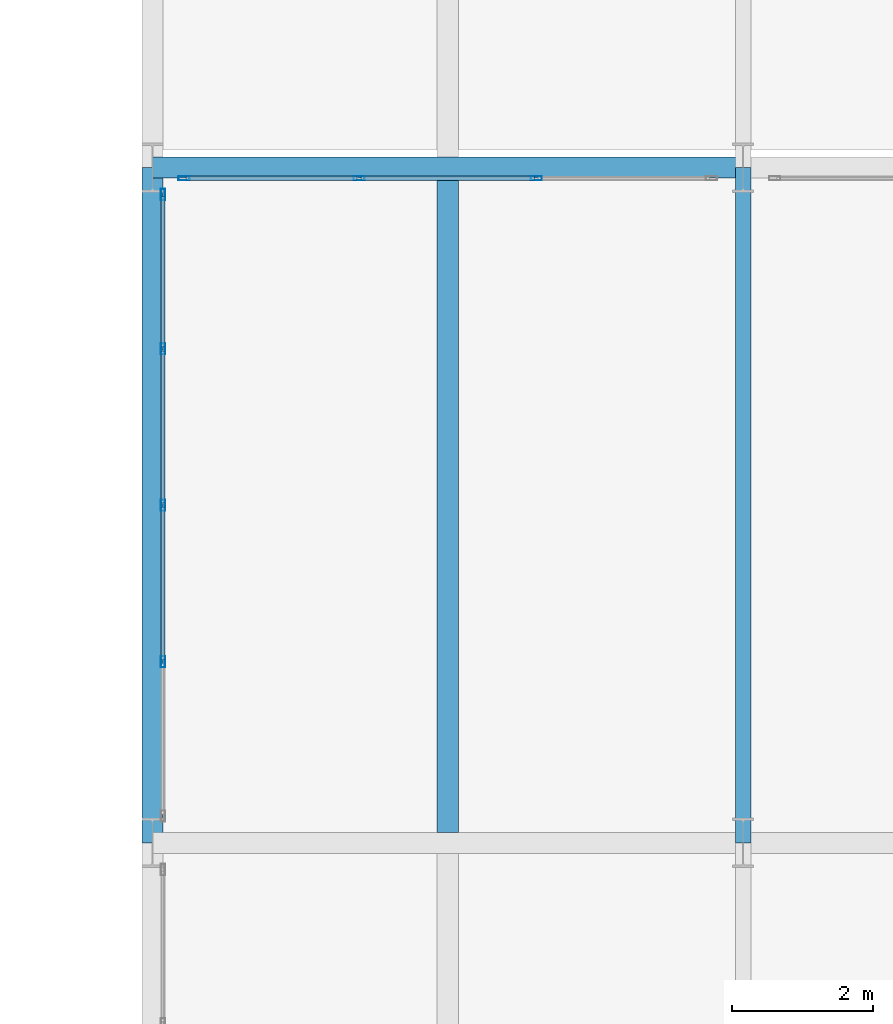
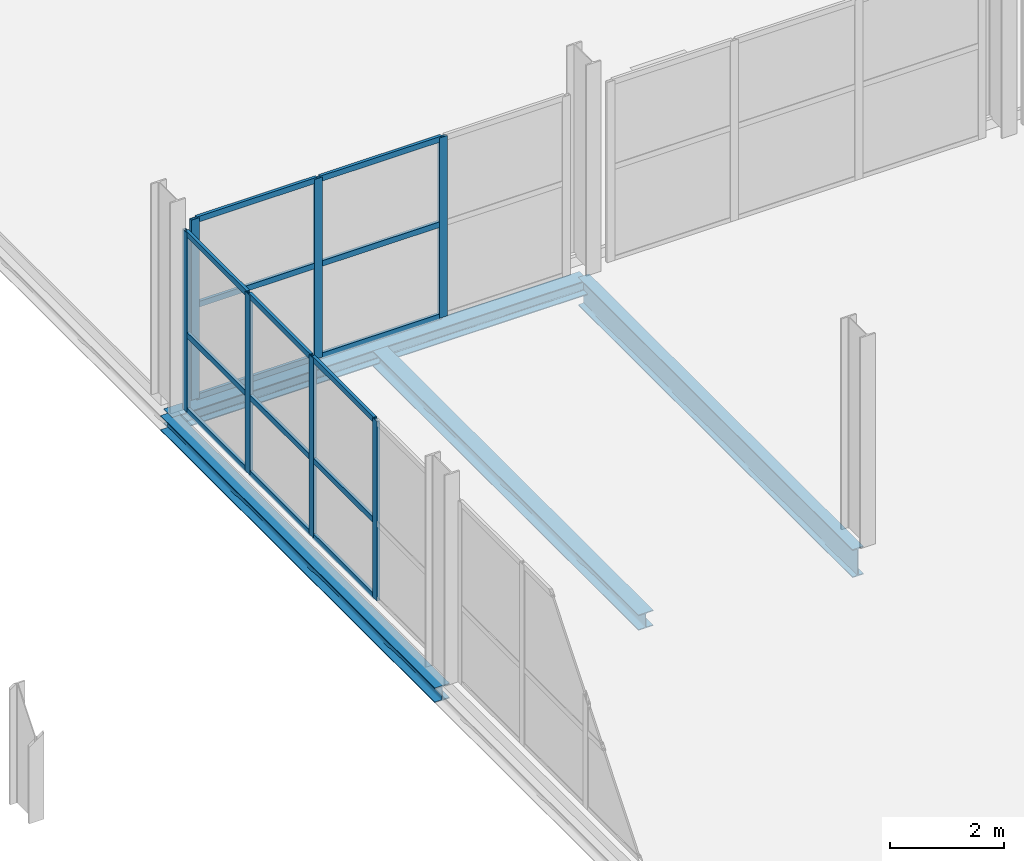
# One storey, part 54 of 113: 22 members, 4 beams, 2 elements without a shape of their own.
"""IFC4 building model written with IfcOpenShell, lengths in metres."""

import ifcopenshell
import ifcopenshell.guid

model = None  # the IFC model being written
_history = None  # IfcOwnerHistory: only IFC2X3 demands one
_inside = {}  # id of a spatial element -> (the spatial element, [elements in it])
_under = {}  # id of a project, library or spatial element -> (it, [spatial elements below it])
_declared = {}  # id of a project -> (the project, [libraries it declares])
_typed = {}  # id of a type object -> (the type object, [elements of that type])
_made_of = {}  # id of a material, layer set ... -> (it, [elements and type objects made of it])


def new_model(schema):
    """Start an empty IFC model of exactly this schema.

    Asked for "IFC4X3", IfcOpenShell would pick the latest addendum, in which some entities
    have other attributes; the version numbers below select the first issue.
    IFC2X3 requires an IfcOwnerHistory on every rooted entity: one is made here for all.
    """
    global model, _history
    if schema == "IFC4X3":
        model = ifcopenshell.file(schema_version=(4, 3, 0, 0))
    else:
        model = ifcopenshell.file(schema=schema)
    _inside.clear()
    _under.clear()
    _declared.clear()
    _typed.clear()
    _made_of.clear()
    _history = None
    if model.schema == "IFC2X3":
        org = make("IfcOrganization", Name="unknown")
        user = make(
            "IfcPersonAndOrganization",
            ThePerson=make("IfcPerson", FamilyName="unknown"),
            TheOrganization=org,
        )
        app = make(
            "IfcApplication",
            ApplicationDeveloper=org,
            Version="unknown",
            ApplicationFullName="unknown",
            ApplicationIdentifier="unknown",
        )
        _history = make(
            "IfcOwnerHistory",
            OwningUser=user,
            OwningApplication=app,
            ChangeAction="ADDED",
            CreationDate=0,
        )
    return model


def make(cls, **values):
    """One entity of the class cls with the attributes given. An attribute that is None is left unset."""
    return model.create_entity(
        cls, **{name: value for name, value in values.items() if value is not None}
    )


def rooted(cls, **values):
    """An entity with a GlobalId (a new one), such as an element, a storey or a relation."""
    return make(cls, GlobalId=ifcopenshell.guid.new(), OwnerHistory=_history, **values)


def si_unit(unit_type, name, prefix=None):
    """IfcSIUnit, for example si_unit("LENGTHUNIT", "METRE", prefix="MILLI")."""
    return make("IfcSIUnit", UnitType=unit_type, Prefix=prefix, Name=name)


def assignment(units):
    """IfcUnitAssignment: the units of a project."""
    return None if units is None else make("IfcUnitAssignment", Units=units)


def point(xyz):
    """IfcCartesianPoint."""
    return None if xyz is None else make("IfcCartesianPoint", Coordinates=xyz)


def direction(xyz):
    """IfcDirection."""
    return None if xyz is None else make("IfcDirection", DirectionRatios=xyz)


def frame(location, z_axis=None, x_axis=None):
    """IfcAxis2Placement3D, a coordinate frame: its origin and axes. An axis left out is left unset."""
    return make(
        "IfcAxis2Placement3D",
        Location=point(location),
        Axis=direction(z_axis),
        RefDirection=direction(x_axis),
    )


def frame_2d(location, x_axis=None):
    """IfcAxis2Placement2D, a coordinate frame in the plane: its origin and x axis."""
    return make(
        "IfcAxis2Placement2D", Location=point(location), RefDirection=direction(x_axis)
    )


def origin():
    """The frame at (0, 0, 0) with its axes left unset."""
    return frame((0.0, 0.0, 0.0))


def origin_2d():
    """The frame at (0, 0) in the plane with its x axis left unset."""
    return frame_2d((0.0, 0.0))


def place(relative_to, where):
    """IfcLocalPlacement: puts the frame where relative to a parent placement (None: the world)."""
    return make(
        "IfcLocalPlacement", PlacementRelTo=relative_to, RelativePlacement=where
    )


def context(
    kind, dimensions, precision=None, world=None, true_north=None, identifier=None
):
    """IfcGeometricRepresentationContext, for example the 3D "Model" context."""
    return make(
        "IfcGeometricRepresentationContext",
        ContextIdentifier=identifier,
        ContextType=kind,
        CoordinateSpaceDimension=dimensions,
        Precision=precision,
        WorldCoordinateSystem=world,
        TrueNorth=true_north,
    )


def subcontext(parent, identifier, kind, view, scale=None):
    """IfcGeometricRepresentationSubContext, for example "Body" below "Model"."""
    return make(
        "IfcGeometricRepresentationSubContext",
        ContextIdentifier=identifier,
        ContextType=kind,
        ParentContext=parent,
        TargetScale=scale,
        TargetView=view,
    )


def project(units=None, contexts=None):
    """IfcProject with its units and contexts."""
    return rooted(
        "IfcProject",
        Name="project",
        RepresentationContexts=contexts,
        UnitsInContext=assignment(units),
    )


def spatial(cls, under=None, at=None, **own):
    """A site, building, storey or space (cls), placed at a placement, below another one or the project."""
    s = rooted(cls, ObjectPlacement=at, **own)
    if under is not None:
        _under.setdefault(under.id(), (under, []))[1].append(s)
    return s


def profile(cls, at=None, kind="AREA", **sizes):
    """A parametric profile (cls). Its sizes go by their IFC names, for example OverallWidth=200.0."""
    return make(cls, ProfileType=kind, Position=at, **sizes)


def hollow_rectangle(**sizes):
    """IfcRectangleHollowProfileDef."""
    return profile("IfcRectangleHollowProfileDef", **sizes)


def i_section(**sizes):
    """IfcIShapeProfileDef."""
    return profile("IfcIShapeProfileDef", **sizes)


def extrude(swept, where, along, depth):
    """IfcExtrudedAreaSolid: the profile swept, set in the frame where, extruded along a direction by depth."""
    return make(
        "IfcExtrudedAreaSolid",
        SweptArea=swept,
        Position=where,
        ExtrudedDirection=direction(along),
        Depth=depth,
    )


def shape(context_of_items, identifier, shape_type, items):
    """IfcShapeRepresentation: the items that make up one representation, for example the "Body"."""
    return make(
        "IfcShapeRepresentation",
        ContextOfItems=context_of_items,
        RepresentationIdentifier=identifier,
        RepresentationType=shape_type,
        Items=items,
    )


def material(Name=None, Category=None):
    """IfcMaterial."""
    return make("IfcMaterial", Name=Name, Category=Category)


def material_profile(
    of_material, cross_section, Name=None, Category=None, Priority=None
):
    """IfcMaterialProfile: a cross section and its material."""
    return make(
        "IfcMaterialProfile",
        Name=Name,
        Material=of_material,
        Profile=cross_section,
        Priority=Priority,
        Category=Category,
    )


def profile_set(profiles, Name=None, composite=None):
    """IfcMaterialProfileSet."""
    return make(
        "IfcMaterialProfileSet",
        Name=Name,
        MaterialProfiles=profiles,
        CompositeProfile=composite,
    )


def made_of(thing, what):
    """Note that an element or type object is made of a material, layer set ...; save() writes the relation."""
    if what is not None:
        _made_of.setdefault(what.id(), (what, []))[1].append(thing)
    return thing


def type_object(cls, material=None, **own):
    """A type object (cls), such as IfcWallType, which elements share."""
    return made_of(rooted(cls, **own), material)


def element(
    cls,
    number,
    at=None,
    inside=None,
    cuts=None,
    type_object=None,
    material=None,
    context=None,
    identifier="Body",
    shape_type=None,
    held_by="IfcProductDefinitionShape",
    body=None,
    shapes=None,
    **own,
):
    """One element of the class cls, such as IfcWall. Its Tag is "e" and its number.

    at: its placement. inside: the storey or other place that contains it. cuts: it is an
    opening in that element (IfcRelVoidsElement). A single representation is given by context,
    identifier, shape_type and body (its items); several are given by shapes. held_by: the class
    of the entity that holds the representations. save() writes the other relations.
    """
    e = rooted(cls, Tag="e%d" % number, ObjectPlacement=at, **own)
    if body is not None:
        shapes = [shape(context, identifier, shape_type, body)]
    if shapes is not None:
        e.Representation = make(held_by, Representations=shapes)
    if inside is not None:
        _inside.setdefault(inside.id(), (inside, []))[1].append(e)
    if cuts is not None:
        rooted(
            "IfcRelVoidsElement", RelatingBuildingElement=cuts, RelatedOpeningElement=e
        )
    if type_object is not None:
        _typed.setdefault(type_object.id(), (type_object, []))[1].append(e)
    return made_of(e, material)


def aggregate(whole, parts):
    """IfcRelAggregates: a whole, such as a stair, and the parts it consists of."""
    return rooted("IfcRelAggregates", RelatingObject=whole, RelatedObjects=parts)


def save(model, path):
    """Write the relations noted so far, then the file.

    IfcRelAggregates (storeys below a building ...), IfcRelContainedInSpatialStructure (elements
    in a storey), IfcRelDefinesByType, IfcRelAssociatesMaterial and IfcRelDeclares: one each for
    every whole, place, type object, material and project.
    """
    for whole, parts in _under.values():
        aggregate(whole, parts)
    for where, things in _inside.values():
        rooted(
            "IfcRelContainedInSpatialStructure",
            RelatedElements=things,
            RelatingStructure=where,
        )
    for kind, things in _typed.values():
        rooted("IfcRelDefinesByType", RelatedObjects=things, RelatingType=kind)
    for what, things in _made_of.values():
        rooted("IfcRelAssociatesMaterial", RelatedObjects=things, RelatingMaterial=what)
    for by, libraries in _declared.values():
        rooted("IfcRelDeclares", RelatingContext=by, RelatedDefinitions=libraries)
    model.write(path)


model = new_model("IFC4")

# Units and contexts
model_context = context("Model", 3, precision=1e-05, world=origin(), true_north=direction((0.0, 1.0)))
body_context = subcontext(model_context, "Body", "Model", "MODEL_VIEW")
ifc_project = project(units=[si_unit("LENGTHUNIT", "METRE"), si_unit("AREAUNIT", "SQUARE_METRE"), si_unit("VOLUMEUNIT", "CUBIC_METRE"), si_unit("PLANEANGLEUNIT", "RADIAN"), si_unit("MASSUNIT", "GRAM", prefix="KILO")], contexts=[model_context])

# Site, building, storey
site_placement = place(None, origin())
site = spatial("IfcSite", under=ifc_project, at=site_placement, CompositionType="ELEMENT")
building_placement = place(site_placement, origin())
building = spatial("IfcBuilding", under=site, at=building_placement, Name="Veltarok Museum of Natural Sciences", CompositionType="ELEMENT")
storey_placement = place(building_placement, frame((0.0, 0.0, 8.39990234375)))
storey = spatial("IfcBuildingStorey", under=building, at=storey_placement, Name="L01", CompositionType="ELEMENT", Elevation=8.39990234375)

# Curtain wall, members
ifc_material_1 = material(Name="Low-iron triple insulated glass", Category="glass")
curtain_wall_type_1 = type_object("IfcCurtainWallType", Name="Curtain Wall System CW-V2NP-L01-7-756x385 (North Pavilion L01 7-8 756x385cm)", PredefinedType="NOTDEFINED", material=ifc_material_1)
curtain_wall_1_placement = place(storey_placement, origin())
curtain_wall_1 = element("IfcCurtainWall", 1, at=curtain_wall_1_placement, inside=storey, type_object=curtain_wall_type_1, Name="Curtain Wall CW-V2NP-L01-7-756x385 CW-0069", PredefinedType="NOTDEFINED")
ifc_material_2 = material(Name="Thermally broken anodised aluminium", Category="aluminium")
ifc_material_profile_1 = material_profile(ifc_material_2, hollow_rectangle(XDim=0.06005859375, YDim=0.1201171875, WallThickness=0.0048828125, at=origin_2d()), Name="CW TRANSOM 60x120x5")
ifc_profile_set_1 = profile_set([ifc_material_profile_1], Name="Thermally broken anodised aluminium")
member_type_1 = type_object("IfcMemberType", Name="Curtain Wall Horizontal Transom 60x120x5", PredefinedType="USERDEFINED", material=ifc_profile_set_1)
member_1_placement = place(storey_placement, frame((62.22998046875, 91.050048828125, 0.030029296875), z_axis=(-1.0, 0.0, 0.0), x_axis=(0.0, -1.0, 0.0)))
member_1 = element("IfcMember", 2, at=member_1_placement, type_object=member_type_1, Name="CW-V2NP-L01-7-756x385 transom 2.1", ObjectType="TRANSOM", PredefinedType="USERDEFINED", context=body_context, shape_type="SweptSolid", body=[
    extrude(hollow_rectangle(XDim=0.06005859375, YDim=0.1201171875, WallThickness=0.0048828125, at=origin_2d()), origin(), (0.0, 0.0, 1.0), 2.4599609375),
])
member_2_placement = place(storey_placement, frame((62.22998046875, 91.050048828125, 2.0), z_axis=(-1.0, 0.0, 0.0), x_axis=(0.0, -1.0, 0.0)))
member_2 = element("IfcMember", 3, at=member_2_placement, type_object=member_type_1, Name="CW-V2NP-L01-7-756x385 transom 2.2", ObjectType="TRANSOM", PredefinedType="USERDEFINED", context=body_context, shape_type="SweptSolid", body=[
    extrude(hollow_rectangle(XDim=0.06005859375, YDim=0.1201171875, WallThickness=0.0048828125, at=origin_2d()), origin(), (0.0, 0.0, 1.0), 2.4599609375),
])
member_3_placement = place(storey_placement, frame((62.22998046875, 91.050048828125, 3.820068359375), z_axis=(-1.0, 0.0, 0.0), x_axis=(0.0, -1.0, 0.0)))
member_3 = element("IfcMember", 4, at=member_3_placement, type_object=member_type_1, Name="CW-V2NP-L01-7-756x385 transom 2.3", ObjectType="TRANSOM", PredefinedType="USERDEFINED", context=body_context, shape_type="SweptSolid", body=[
    extrude(hollow_rectangle(XDim=0.06005859375, YDim=0.1201171875, WallThickness=0.0048828125, at=origin_2d()), origin(), (0.0, 0.0, 1.0), 2.4599609375),
])
member_4_placement = place(storey_placement, frame((59.7099609375, 91.050048828125, 0.030029296875), z_axis=(-1.0, 0.0, 0.0), x_axis=(0.0, -1.0, 0.0)))
member_4 = element("IfcMember", 5, at=member_4_placement, type_object=member_type_1, Name="CW-V2NP-L01-7-756x385 transom 3.1", ObjectType="TRANSOM", PredefinedType="USERDEFINED", context=body_context, shape_type="SweptSolid", body=[
    extrude(hollow_rectangle(XDim=0.06005859375, YDim=0.1201171875, WallThickness=0.0048828125, at=origin_2d()), origin(), (0.0, 0.0, 1.0), 2.429931640625),
])
member_5_placement = place(storey_placement, frame((59.7099609375, 91.050048828125, 2.0), z_axis=(-1.0, 0.0, 0.0), x_axis=(0.0, -1.0, 0.0)))
member_5 = element("IfcMember", 6, at=member_5_placement, type_object=member_type_1, Name="CW-V2NP-L01-7-756x385 transom 3.2", ObjectType="TRANSOM", PredefinedType="USERDEFINED", context=body_context, shape_type="SweptSolid", body=[
    extrude(hollow_rectangle(XDim=0.06005859375, YDim=0.1201171875, WallThickness=0.0048828125, at=origin_2d()), origin(), (0.0, 0.0, 1.0), 2.429931640625),
])
member_6_placement = place(storey_placement, frame((59.7099609375, 91.050048828125, 3.820068359375), z_axis=(-1.0, 0.0, 0.0), x_axis=(0.0, -1.0, 0.0)))
member_6 = element("IfcMember", 7, at=member_6_placement, type_object=member_type_1, Name="CW-V2NP-L01-7-756x385 transom 3.3", ObjectType="TRANSOM", PredefinedType="USERDEFINED", context=body_context, shape_type="SweptSolid", body=[
    extrude(hollow_rectangle(XDim=0.06005859375, YDim=0.1201171875, WallThickness=0.0048828125, at=origin_2d()), origin(), (0.0, 0.0, 1.0), 2.429931640625),
])

curtain_wall_type_2 = type_object("IfcCurtainWallType", Name="Curtain Wall System CW-V2NPW1-L01-1-890x383 (CW-V2NPW1 L01 890x383cm)", PredefinedType="NOTDEFINED", material=ifc_material_1)
curtain_wall_2_placement = place(storey_placement, origin())
curtain_wall_2 = element("IfcCurtainWall", 8, at=curtain_wall_2_placement, inside=storey, type_object=curtain_wall_type_2, Name="Curtain Wall CW-V2NPW1-L01-1-890x383 CW-0221", PredefinedType="NOTDEFINED")
member_7_placement = place(storey_placement, frame((56.949951171875, 84.205078125, 0.028076171875), z_axis=(0.0, 1.0, 0.0), x_axis=(-1.0, 0.0, 0.0)))
member_7 = element("IfcMember", 9, at=member_7_placement, type_object=member_type_1, Name="CW-V2NPW1-L01-1-890x383 transom 2.1", ObjectType="TRANSOM", PredefinedType="USERDEFINED", context=body_context, shape_type="SweptSolid", body=[
    extrude(hollow_rectangle(XDim=0.06005859375, YDim=0.1201171875, WallThickness=0.0048828125, at=origin_2d()), origin(), (0.0, 0.0, 1.0), 2.1650390625),
])
member_8_placement = place(storey_placement, frame((56.949951171875, 84.205078125, 1.648193359375), z_axis=(0.0, 1.0, 0.0), x_axis=(-1.0, 0.0, 0.0)))
member_8 = element("IfcMember", 10, at=member_8_placement, type_object=member_type_1, Name="CW-V2NPW1-L01-1-890x383 transom 2.2", ObjectType="TRANSOM", PredefinedType="USERDEFINED", context=body_context, shape_type="SweptSolid", body=[
    extrude(hollow_rectangle(XDim=0.06005859375, YDim=0.1201171875, WallThickness=0.0048828125, at=origin_2d()), origin(), (0.0, 0.0, 1.0), 2.1650390625),
])
member_9_placement = place(storey_placement, frame((56.949951171875, 84.205078125, 3.800048828125), z_axis=(0.0, 1.0, 0.0), x_axis=(-1.0, 0.0, 0.0)))
member_9 = element("IfcMember", 11, at=member_9_placement, type_object=member_type_1, Name="CW-V2NPW1-L01-1-890x383 transom 2.3", ObjectType="TRANSOM", PredefinedType="USERDEFINED", context=body_context, shape_type="SweptSolid", body=[
    extrude(hollow_rectangle(XDim=0.06005859375, YDim=0.1201171875, WallThickness=0.0048828125, at=origin_2d()), origin(), (0.0, 0.0, 1.0), 2.1650390625),
])
member_10_placement = place(storey_placement, frame((56.949951171875, 86.429931640625, 0.028076171875), z_axis=(0.0, 1.0, 0.0), x_axis=(-1.0, 0.0, 0.0)))
member_10 = element("IfcMember", 12, at=member_10_placement, type_object=member_type_1, Name="CW-V2NPW1-L01-1-890x383 transom 3.1", ObjectType="TRANSOM", PredefinedType="USERDEFINED", context=body_context, shape_type="SweptSolid", body=[
    extrude(hollow_rectangle(XDim=0.06005859375, YDim=0.1201171875, WallThickness=0.0048828125, at=origin_2d()), origin(), (0.0, 0.0, 1.0), 2.1650390625),
])
member_11_placement = place(storey_placement, frame((56.949951171875, 86.429931640625, 1.648193359375), z_axis=(0.0, 1.0, 0.0), x_axis=(-1.0, 0.0, 0.0)))
member_11 = element("IfcMember", 13, at=member_11_placement, type_object=member_type_1, Name="CW-V2NPW1-L01-1-890x383 transom 3.2", ObjectType="TRANSOM", PredefinedType="USERDEFINED", context=body_context, shape_type="SweptSolid", body=[
    extrude(hollow_rectangle(XDim=0.06005859375, YDim=0.1201171875, WallThickness=0.0048828125, at=origin_2d()), origin(), (0.0, 0.0, 1.0), 2.1650390625),
])
member_12_placement = place(storey_placement, frame((56.949951171875, 86.429931640625, 3.800048828125), z_axis=(0.0, 1.0, 0.0), x_axis=(-1.0, 0.0, 0.0)))
member_12 = element("IfcMember", 14, at=member_12_placement, type_object=member_type_1, Name="CW-V2NPW1-L01-1-890x383 transom 3.3", ObjectType="TRANSOM", PredefinedType="USERDEFINED", context=body_context, shape_type="SweptSolid", body=[
    extrude(hollow_rectangle(XDim=0.06005859375, YDim=0.1201171875, WallThickness=0.0048828125, at=origin_2d()), origin(), (0.0, 0.0, 1.0), 2.1650390625),
])
member_13_placement = place(storey_placement, frame((56.949951171875, 88.655029296875, 0.028076171875), z_axis=(0.0, 1.0, 0.0), x_axis=(-1.0, 0.0, 0.0)))
member_13 = element("IfcMember", 15, at=member_13_placement, type_object=member_type_1, Name="CW-V2NPW1-L01-1-890x383 transom 4.1", ObjectType="TRANSOM", PredefinedType="USERDEFINED", context=body_context, shape_type="SweptSolid", body=[
    extrude(hollow_rectangle(XDim=0.06005859375, YDim=0.1201171875, WallThickness=0.0048828125, at=origin_2d()), origin(), (0.0, 0.0, 1.0), 2.135009765625),
])
member_14_placement = place(storey_placement, frame((56.949951171875, 88.655029296875, 1.648193359375), z_axis=(0.0, 1.0, 0.0), x_axis=(-1.0, 0.0, 0.0)))
member_14 = element("IfcMember", 16, at=member_14_placement, type_object=member_type_1, Name="CW-V2NPW1-L01-1-890x383 transom 4.2", ObjectType="TRANSOM", PredefinedType="USERDEFINED", context=body_context, shape_type="SweptSolid", body=[
    extrude(hollow_rectangle(XDim=0.06005859375, YDim=0.1201171875, WallThickness=0.0048828125, at=origin_2d()), origin(), (0.0, 0.0, 1.0), 2.135009765625),
])
member_15_placement = place(storey_placement, frame((56.949951171875, 88.655029296875, 3.800048828125), z_axis=(0.0, 1.0, 0.0), x_axis=(-1.0, 0.0, 0.0)))
member_15 = element("IfcMember", 17, at=member_15_placement, type_object=member_type_1, Name="CW-V2NPW1-L01-1-890x383 transom 4.3", ObjectType="TRANSOM", PredefinedType="USERDEFINED", context=body_context, shape_type="SweptSolid", body=[
    extrude(hollow_rectangle(XDim=0.06005859375, YDim=0.1201171875, WallThickness=0.0048828125, at=origin_2d()), origin(), (0.0, 0.0, 1.0), 2.135009765625),
])

# Member
ifc_material_profile_2 = material_profile(ifc_material_2, hollow_rectangle(XDim=0.06005859375, YDim=0.159912109375, WallThickness=0.0048828125, at=origin_2d()), Name="CW MULLION 60x160x5")
ifc_profile_set_2 = profile_set([ifc_material_profile_2], Name="Thermally broken anodised aluminium")
member_type_2 = type_object("IfcMemberType", Name="Curtain Wall Vertical Mullion 60x160x5", PredefinedType="MULLION", material=ifc_profile_set_2)
member_16_placement = place(storey_placement, frame((62.260009765625, 91.050048828125, 0.0), z_axis=(0.0, 0.0, 1.0), x_axis=(0.0, -1.0, 0.0)))
member_16 = element("IfcMember", 18, at=member_16_placement, type_object=member_type_2, Name="CW-V2NP-L01-7-756x385 mullion 2", PredefinedType="MULLION", context=body_context, shape_type="SweptSolid", body=[
    extrude(hollow_rectangle(XDim=0.06005859375, YDim=0.159912109375, WallThickness=0.0048828125, at=origin_2d()), origin(), (0.0, 0.0, 1.0), 3.85009765625),
])

member_17_placement = place(storey_placement, frame((59.739990234375, 91.050048828125, 0.0), z_axis=(0.0, 0.0, 1.0), x_axis=(0.0, -1.0, 0.0)))
member_17 = element("IfcMember", 19, at=member_17_placement, type_object=member_type_2, Name="CW-V2NP-L01-7-756x385 mullion 3", PredefinedType="MULLION", context=body_context, shape_type="SweptSolid", body=[
    extrude(hollow_rectangle(XDim=0.06005859375, YDim=0.159912109375, WallThickness=0.0048828125, at=origin_2d()), origin(), (0.0, 0.0, 1.0), 3.85009765625),
])

member_18_placement = place(storey_placement, frame((57.25, 91.050048828125, 0.0), z_axis=(0.0, 0.0, 1.0), x_axis=(0.0, -1.0, 0.0)))
member_18 = element("IfcMember", 20, at=member_18_placement, type_object=member_type_2, Name="CW-V2NP-L01-7-756x385 mullion 4", PredefinedType="MULLION", context=body_context, shape_type="SweptSolid", body=[
    extrude(hollow_rectangle(XDim=0.06005859375, YDim=0.159912109375, WallThickness=0.0048828125, at=origin_2d()), origin(), (0.0, 0.0, 1.0), 3.85009765625),
])

aggregate(curtain_wall_1, [member_16, member_17, member_18, member_1, member_2, member_3, member_4, member_5, member_6])

member_19_placement = place(storey_placement, frame((56.949951171875, 84.175048828125, -0.001953125), z_axis=(0.0, 0.0, 1.0), x_axis=(-1.0, 0.0, 0.0)))
member_19 = element("IfcMember", 21, at=member_19_placement, type_object=member_type_2, Name="CW-V2NPW1-L01-1-890x383 mullion 2", PredefinedType="MULLION", context=body_context, shape_type="SweptSolid", body=[
    extrude(hollow_rectangle(XDim=0.06005859375, YDim=0.159912109375, WallThickness=0.0048828125, at=origin_2d()), origin(), (0.0, 0.0, 1.0), 3.83203125),
])

member_20_placement = place(storey_placement, frame((56.949951171875, 86.39990234375, -0.001953125), z_axis=(0.0, 0.0, 1.0), x_axis=(-1.0, 0.0, 0.0)))
member_20 = element("IfcMember", 22, at=member_20_placement, type_object=member_type_2, Name="CW-V2NPW1-L01-1-890x383 mullion 3", PredefinedType="MULLION", context=body_context, shape_type="SweptSolid", body=[
    extrude(hollow_rectangle(XDim=0.06005859375, YDim=0.159912109375, WallThickness=0.0048828125, at=origin_2d()), origin(), (0.0, 0.0, 1.0), 3.83203125),
])

member_21_placement = place(storey_placement, frame((56.949951171875, 88.625, -0.001953125), z_axis=(0.0, 0.0, 1.0), x_axis=(-1.0, 0.0, 0.0)))
member_21 = element("IfcMember", 23, at=member_21_placement, type_object=member_type_2, Name="CW-V2NPW1-L01-1-890x383 mullion 4", PredefinedType="MULLION", context=body_context, shape_type="SweptSolid", body=[
    extrude(hollow_rectangle(XDim=0.06005859375, YDim=0.159912109375, WallThickness=0.0048828125, at=origin_2d()), origin(), (0.0, 0.0, 1.0), 3.83203125),
])

member_22_placement = place(storey_placement, frame((56.949951171875, 90.820068359375, -0.001953125), z_axis=(0.0, 0.0, 1.0), x_axis=(-1.0, 0.0, 0.0)))
member_22 = element("IfcMember", 24, at=member_22_placement, type_object=member_type_2, Name="CW-V2NPW1-L01-1-890x383 mullion 5", PredefinedType="MULLION", context=body_context, shape_type="SweptSolid", body=[
    extrude(hollow_rectangle(XDim=0.06005859375, YDim=0.159912109375, WallThickness=0.0048828125, at=origin_2d()), origin(), (0.0, 0.0, 1.0), 3.83203125),
])

aggregate(curtain_wall_2, [member_19, member_20, member_21, member_22, member_7, member_8, member_9, member_10, member_11, member_12, member_13, member_14, member_15])

# Beams
ifc_material_3 = material(Name="Steel S355J2", Category="steel")
ifc_material_profile_3 = material_profile(ifc_material_3, i_section(OverallWidth=0.300048828125, OverallDepth=0.330078125, WebThickness=0.009521484375, FlangeThickness=0.0166015625, FilletRadius=0.027099609375, at=origin_2d()), Name="HEA 340")
ifc_profile_set_3 = profile_set([ifc_material_profile_3], Name="Steel S355J2")
beam_type_1 = type_object("IfcBeamType", Name="Exhibition Floor Joist HEA 340", PredefinedType="JOIST", material=ifc_profile_set_3)
beam_1_placement = place(storey_placement, frame((61.0, 81.748046875, -0.414794921875), z_axis=(0.0, 1.0, 0.0), x_axis=(-1.0, 0.0, 0.0)))
element("IfcBeam", 25, at=beam_1_placement, inside=storey, type_object=beam_type_1, Name="Secondary Joist BM-J08 L01 7-8/J-K.1", PredefinedType="JOIST", context=body_context, shape_type="SweptSolid", body=[
    extrude(i_section(OverallWidth=0.300048828125, OverallDepth=0.330078125, WebThickness=0.009521484375, FlangeThickness=0.0166015625, FilletRadius=0.027099609375, at=origin_2d()), origin(), (0.0, 0.0, 1.0), 9.303955078125),
])
ifc_material_profile_4 = material_profile(ifc_material_3, i_section(OverallWidth=0.300048828125, OverallDepth=0.320068359375, WebThickness=0.011474609375, FlangeThickness=0.0205078125, FilletRadius=0.027099609375, at=origin_2d()), Name="HEB 320")
ifc_profile_set_4 = profile_set([ifc_material_profile_4], Name="Steel S355J2")
beam_type_2 = type_object("IfcBeamType", Name="Perimeter Sawtooth Spandrel HEB 320", PredefinedType="SPANDREL", material=ifc_profile_set_4)
beam_2_placement = place(storey_placement, frame((56.800048828125, 91.199951171875, -0.409912109375), z_axis=(1.0, 0.0, 0.0), x_axis=(0.0, 1.0, 0.0)))
element("IfcBeam", 26, at=beam_2_placement, inside=storey, type_object=beam_type_2, Name="Beam BM-SP06 L01 7-8/K", PredefinedType="SPANDREL", context=body_context, shape_type="SweptSolid", body=[
    extrude(i_section(OverallWidth=0.300048828125, OverallDepth=0.320068359375, WebThickness=0.011474609375, FlangeThickness=0.0205078125, FilletRadius=0.027099609375, at=origin_2d()), origin(), (0.0, 0.0, 1.0), 8.39990234375),
])
beam_3_placement = place(storey_placement, frame((56.800048828125, 81.60009765625, -0.409912109375), z_axis=(0.0, 1.0, 0.0), x_axis=(-1.0, 0.0, 0.0)))
element("IfcBeam", 27, at=beam_3_placement, inside=storey, type_object=beam_type_2, Name="Beam BM-SP06 L01 7/J-K", PredefinedType="SPANDREL", context=body_context, shape_type="SweptSolid", body=[
    extrude(i_section(OverallWidth=0.300048828125, OverallDepth=0.320068359375, WebThickness=0.011474609375, FlangeThickness=0.0205078125, FilletRadius=0.027099609375, at=origin_2d()), origin(), (0.0, 0.0, 1.0), 9.599853515625),
])
ifc_material_profile_5 = material_profile(ifc_material_3, i_section(OverallWidth=0.219970703125, OverallDepth=0.60009765625, WebThickness=0.011962890625, FlangeThickness=0.01904296875, FilletRadius=0.02392578125, at=origin_2d()), Name="IPE 600")
ifc_profile_set_5 = profile_set([ifc_material_profile_5], Name="Steel S355J2")
beam_type_3 = type_object("IfcBeamType", Name="Primary Museum Girder IPE 600", PredefinedType="BEAM", material=ifc_profile_set_5)
beam_4_placement = place(storey_placement, frame((65.199951171875, 81.60009765625, -0.5498046875), z_axis=(0.0, 1.0, 0.0), x_axis=(-1.0, 0.0, 0.0)))
element("IfcBeam", 28, at=beam_4_placement, inside=storey, type_object=beam_type_3, Name="Beam BM-G02 L01 8/J-K", PredefinedType="BEAM", context=body_context, shape_type="SweptSolid", body=[
    extrude(i_section(OverallWidth=0.219970703125, OverallDepth=0.60009765625, WebThickness=0.011962890625, FlangeThickness=0.01904296875, FilletRadius=0.02392578125, at=origin_2d()), origin(), (0.0, 0.0, 1.0), 9.599853515625),
])

save(model, "model.ifc")
